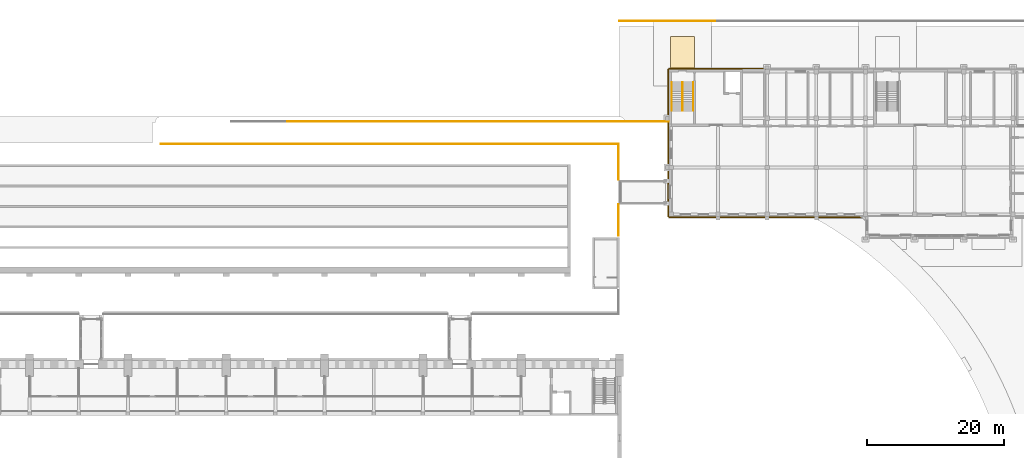
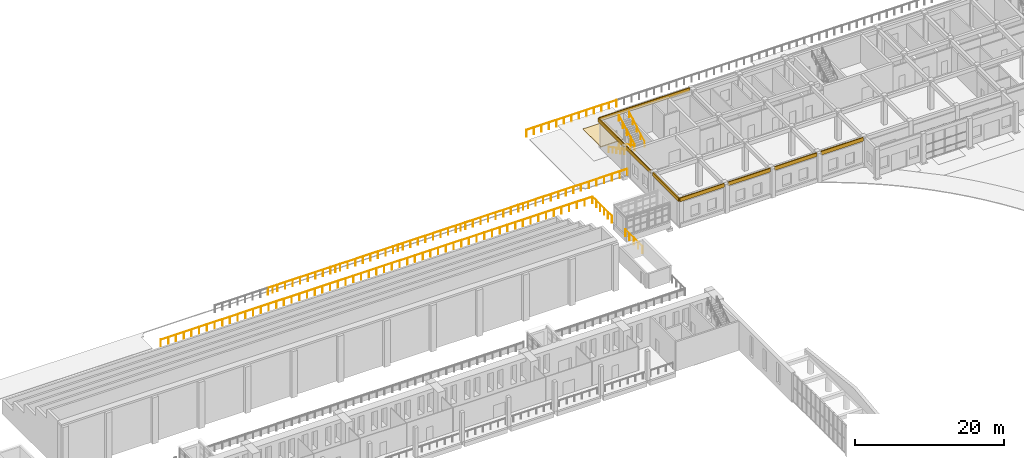
# One storey, part 129 of 131: 19 railings, 9 coverings.
"""IFC4 building model written with IfcOpenShell, lengths in metres."""

import ifcopenshell
import ifcopenshell.guid

model = None  # the IFC model being written
_history = None  # IfcOwnerHistory: only IFC2X3 demands one
_inside = {}  # id of a spatial element -> (the spatial element, [elements in it])
_under = {}  # id of a project, library or spatial element -> (it, [spatial elements below it])
_declared = {}  # id of a project -> (the project, [libraries it declares])
_typed = {}  # id of a type object -> (the type object, [elements of that type])
_made_of = {}  # id of a material, layer set ... -> (it, [elements and type objects made of it])


def new_model(schema):
    """Start an empty IFC model of exactly this schema.

    Asked for "IFC4X3", IfcOpenShell would pick the latest addendum, in which some entities
    have other attributes; the version numbers below select the first issue.
    IFC2X3 requires an IfcOwnerHistory on every rooted entity: one is made here for all.
    """
    global model, _history
    if schema == "IFC4X3":
        model = ifcopenshell.file(schema_version=(4, 3, 0, 0))
    else:
        model = ifcopenshell.file(schema=schema)
    _inside.clear()
    _under.clear()
    _declared.clear()
    _typed.clear()
    _made_of.clear()
    _history = None
    if model.schema == "IFC2X3":
        org = make("IfcOrganization", Name="unknown")
        user = make(
            "IfcPersonAndOrganization",
            ThePerson=make("IfcPerson", FamilyName="unknown"),
            TheOrganization=org,
        )
        app = make(
            "IfcApplication",
            ApplicationDeveloper=org,
            Version="unknown",
            ApplicationFullName="unknown",
            ApplicationIdentifier="unknown",
        )
        _history = make(
            "IfcOwnerHistory",
            OwningUser=user,
            OwningApplication=app,
            ChangeAction="ADDED",
            CreationDate=0,
        )
    return model


def make(cls, **values):
    """One entity of the class cls with the attributes given. An attribute that is None is left unset."""
    return model.create_entity(
        cls, **{name: value for name, value in values.items() if value is not None}
    )


def rooted(cls, **values):
    """An entity with a GlobalId (a new one), such as an element, a storey or a relation."""
    return make(cls, GlobalId=ifcopenshell.guid.new(), OwnerHistory=_history, **values)


def si_unit(unit_type, name, prefix=None):
    """IfcSIUnit, for example si_unit("LENGTHUNIT", "METRE", prefix="MILLI")."""
    return make("IfcSIUnit", UnitType=unit_type, Prefix=prefix, Name=name)


def assignment(units):
    """IfcUnitAssignment: the units of a project."""
    return None if units is None else make("IfcUnitAssignment", Units=units)


def point(xyz):
    """IfcCartesianPoint."""
    return None if xyz is None else make("IfcCartesianPoint", Coordinates=xyz)


def direction(xyz):
    """IfcDirection."""
    return None if xyz is None else make("IfcDirection", DirectionRatios=xyz)


def frame(location, z_axis=None, x_axis=None):
    """IfcAxis2Placement3D, a coordinate frame: its origin and axes. An axis left out is left unset."""
    return make(
        "IfcAxis2Placement3D",
        Location=point(location),
        Axis=direction(z_axis),
        RefDirection=direction(x_axis),
    )


def frame_2d(location, x_axis=None):
    """IfcAxis2Placement2D, a coordinate frame in the plane: its origin and x axis."""
    return make(
        "IfcAxis2Placement2D", Location=point(location), RefDirection=direction(x_axis)
    )


def origin():
    """The frame at (0, 0, 0) with its axes left unset."""
    return frame((0.0, 0.0, 0.0))


def origin_2d():
    """The frame at (0, 0) in the plane with its x axis left unset."""
    return frame_2d((0.0, 0.0))


def place(relative_to, where):
    """IfcLocalPlacement: puts the frame where relative to a parent placement (None: the world)."""
    return make(
        "IfcLocalPlacement", PlacementRelTo=relative_to, RelativePlacement=where
    )


def context(
    kind, dimensions, precision=None, world=None, true_north=None, identifier=None
):
    """IfcGeometricRepresentationContext, for example the 3D "Model" context."""
    return make(
        "IfcGeometricRepresentationContext",
        ContextIdentifier=identifier,
        ContextType=kind,
        CoordinateSpaceDimension=dimensions,
        Precision=precision,
        WorldCoordinateSystem=world,
        TrueNorth=true_north,
    )


def subcontext(parent, identifier, kind, view, scale=None):
    """IfcGeometricRepresentationSubContext, for example "Body" below "Model"."""
    return make(
        "IfcGeometricRepresentationSubContext",
        ContextIdentifier=identifier,
        ContextType=kind,
        ParentContext=parent,
        TargetScale=scale,
        TargetView=view,
    )


def project(units=None, contexts=None):
    """IfcProject with its units and contexts."""
    return rooted(
        "IfcProject",
        Name="project",
        RepresentationContexts=contexts,
        UnitsInContext=assignment(units),
    )


def spatial(cls, under=None, at=None, **own):
    """A site, building, storey or space (cls), placed at a placement, below another one or the project."""
    s = rooted(cls, ObjectPlacement=at, **own)
    if under is not None:
        _under.setdefault(under.id(), (under, []))[1].append(s)
    return s


def polyline(points):
    """IfcPolyline through the points."""
    return make("IfcPolyline", Points=[point(p) for p in points])


def profile(cls, at=None, kind="AREA", **sizes):
    """A parametric profile (cls). Its sizes go by their IFC names, for example OverallWidth=200.0."""
    return make(cls, ProfileType=kind, Position=at, **sizes)


def rectangle(**sizes):
    """IfcRectangleProfileDef."""
    return profile("IfcRectangleProfileDef", **sizes)


def circle(**sizes):
    """IfcCircleProfileDef."""
    return profile("IfcCircleProfileDef", **sizes)


def outline(outer, holes=None, kind="AREA"):
    """IfcArbitraryClosedProfileDef: a profile drawn as a closed curve; with holes, ...WithVoids."""
    if holes is None:
        return make("IfcArbitraryClosedProfileDef", ProfileType=kind, OuterCurve=outer)
    return make(
        "IfcArbitraryProfileDefWithVoids",
        ProfileType=kind,
        OuterCurve=outer,
        InnerCurves=holes,
    )


def extrude(swept, where, along, depth):
    """IfcExtrudedAreaSolid: the profile swept, set in the frame where, extruded along a direction by depth."""
    return make(
        "IfcExtrudedAreaSolid",
        SweptArea=swept,
        Position=where,
        ExtrudedDirection=direction(along),
        Depth=depth,
    )


def shape(context_of_items, identifier, shape_type, items):
    """IfcShapeRepresentation: the items that make up one representation, for example the "Body"."""
    return make(
        "IfcShapeRepresentation",
        ContextOfItems=context_of_items,
        RepresentationIdentifier=identifier,
        RepresentationType=shape_type,
        Items=items,
    )


def material(Name=None, Category=None):
    """IfcMaterial."""
    return make("IfcMaterial", Name=Name, Category=Category)


def layer(
    of_material, thickness, ventilated=None, Name=None, Category=None, Priority=None
):
    """IfcMaterialLayer: one layer of a wall or slab, of a material (None: an air gap)."""
    return make(
        "IfcMaterialLayer",
        Material=of_material,
        LayerThickness=thickness,
        IsVentilated=ventilated,
        Name=Name,
        Category=Category,
        Priority=Priority,
    )


def layer_set(layers, Name=None):
    """IfcMaterialLayerSet."""
    return make("IfcMaterialLayerSet", MaterialLayers=layers, LayerSetName=Name)


def made_of(thing, what):
    """Note that an element or type object is made of a material, layer set ...; save() writes the relation."""
    if what is not None:
        _made_of.setdefault(what.id(), (what, []))[1].append(thing)
    return thing


def type_object(cls, material=None, **own):
    """A type object (cls), such as IfcWallType, which elements share."""
    return made_of(rooted(cls, **own), material)


def element(
    cls,
    number,
    at=None,
    inside=None,
    cuts=None,
    type_object=None,
    material=None,
    context=None,
    identifier="Body",
    shape_type=None,
    held_by="IfcProductDefinitionShape",
    body=None,
    shapes=None,
    **own,
):
    """One element of the class cls, such as IfcWall. Its Tag is "e" and its number.

    at: its placement. inside: the storey or other place that contains it. cuts: it is an
    opening in that element (IfcRelVoidsElement). A single representation is given by context,
    identifier, shape_type and body (its items); several are given by shapes. held_by: the class
    of the entity that holds the representations. save() writes the other relations.
    """
    e = rooted(cls, Tag="e%d" % number, ObjectPlacement=at, **own)
    if body is not None:
        shapes = [shape(context, identifier, shape_type, body)]
    if shapes is not None:
        e.Representation = make(held_by, Representations=shapes)
    if inside is not None:
        _inside.setdefault(inside.id(), (inside, []))[1].append(e)
    if cuts is not None:
        rooted(
            "IfcRelVoidsElement", RelatingBuildingElement=cuts, RelatedOpeningElement=e
        )
    if type_object is not None:
        _typed.setdefault(type_object.id(), (type_object, []))[1].append(e)
    return made_of(e, material)


def aggregate(whole, parts):
    """IfcRelAggregates: a whole, such as a stair, and the parts it consists of."""
    return rooted("IfcRelAggregates", RelatingObject=whole, RelatedObjects=parts)


def save(model, path):
    """Write the relations noted so far, then the file.

    IfcRelAggregates (storeys below a building ...), IfcRelContainedInSpatialStructure (elements
    in a storey), IfcRelDefinesByType, IfcRelAssociatesMaterial and IfcRelDeclares: one each for
    every whole, place, type object, material and project.
    """
    for whole, parts in _under.values():
        aggregate(whole, parts)
    for where, things in _inside.values():
        rooted(
            "IfcRelContainedInSpatialStructure",
            RelatedElements=things,
            RelatingStructure=where,
        )
    for kind, things in _typed.values():
        rooted("IfcRelDefinesByType", RelatedObjects=things, RelatingType=kind)
    for what, things in _made_of.values():
        rooted("IfcRelAssociatesMaterial", RelatedObjects=things, RelatingMaterial=what)
    for by, libraries in _declared.values():
        rooted("IfcRelDeclares", RelatingContext=by, RelatedDefinitions=libraries)
    model.write(path)


model = new_model("IFC4")

# Units and contexts
model_context = context("Model", 3, precision=1e-05, world=origin(), true_north=direction((0.0, 1.0)))
body_context = subcontext(model_context, "Body", "Model", "MODEL_VIEW")
ifc_project = project(units=[si_unit("LENGTHUNIT", "METRE"), si_unit("AREAUNIT", "SQUARE_METRE"), si_unit("VOLUMEUNIT", "CUBIC_METRE"), si_unit("PLANEANGLEUNIT", "RADIAN"), si_unit("MASSUNIT", "GRAM", prefix="KILO")], contexts=[model_context])

# Site, building, storey
site_placement = place(None, origin())
site = spatial("IfcSite", under=ifc_project, at=site_placement, CompositionType="ELEMENT")
building_placement = place(site_placement, origin())
building = spatial("IfcBuilding", under=site, at=building_placement, Name="Alderwick Market Hall", CompositionType="ELEMENT")
storey_placement = place(building_placement, frame((0.0, 0.0, 4.800048828125)))
storey = spatial("IfcBuildingStorey", under=building, at=storey_placement, Name="L00", CompositionType="ELEMENT", Elevation=4.800048828125)

# Railings
ifc_material_1 = material(Name="Steel ASTM A500 Grade C", Category="steel")
railing_type_1 = type_object("IfcRailingType", Name="A Roof Guard 1100", PredefinedType="GUARDRAIL", material=ifc_material_1)
railing_1_placement = place(storey_placement, frame((84.0, 140.25, 0.0)))
element("IfcRailing", 1, at=railing_1_placement, inside=storey, type_object=railing_type_1, Name="Roof guard", PredefinedType="GUARDRAIL", context=body_context, shape_type="SweptSolid", body=[
    extrude(circle(Radius=0.02392578125, at=origin_2d()), frame((0.0, 0.0, 1.076171875), z_axis=(1.0, 0.0, 0.0), x_axis=(0.0, 1.0, 0.0)), (0.0, 0.0, 1.0), 67.050048828125),
    extrude(circle(Radius=0.02099609375, at=origin_2d()), origin(), (0.0, 0.0, 1.0), 1.052001953125),
    extrude(circle(Radius=0.02099609375, at=origin_2d()), frame((1.197265625, 0.0, 0.0)), (0.0, 0.0, 1.0), 1.052001953125),
    extrude(circle(Radius=0.02099609375, at=origin_2d()), frame((2.39453125, 0.0, 0.0)), (0.0, 0.0, 1.0), 1.052001953125),
    extrude(circle(Radius=0.02099609375, at=origin_2d()), frame((3.592041015625, 0.0, 0.0)), (0.0, 0.0, 1.0), 1.052001953125),
    extrude(circle(Radius=0.02099609375, at=origin_2d()), frame((4.789306640625, 0.0, 0.0)), (0.0, 0.0, 1.0), 1.052001953125),
    extrude(circle(Radius=0.02099609375, at=origin_2d()), frame((5.986572265625, 0.0, 0.0)), (0.0, 0.0, 1.0), 1.052001953125),
    extrude(circle(Radius=0.02099609375, at=origin_2d()), frame((7.183837890625, 0.0, 0.0)), (0.0, 0.0, 1.0), 1.052001953125),
    extrude(circle(Radius=0.02099609375, at=origin_2d()), frame((8.38134765625, 0.0, 0.0)), (0.0, 0.0, 1.0), 1.052001953125),
    extrude(circle(Radius=0.02099609375, at=origin_2d()), frame((9.57861328125, 0.0, 0.0)), (0.0, 0.0, 1.0), 1.052001953125),
    extrude(circle(Radius=0.02099609375, at=origin_2d()), frame((10.77587890625, 0.0, 0.0)), (0.0, 0.0, 1.0), 1.052001953125),
    extrude(circle(Radius=0.02099609375, at=origin_2d()), frame((11.97314453125, 0.0, 0.0)), (0.0, 0.0, 1.0), 1.052001953125),
    extrude(circle(Radius=0.02099609375, at=origin_2d()), frame((13.170654296875, 0.0, 0.0)), (0.0, 0.0, 1.0), 1.052001953125),
    extrude(circle(Radius=0.02099609375, at=origin_2d()), frame((14.367919921875, 0.0, 0.0)), (0.0, 0.0, 1.0), 1.052001953125),
    extrude(circle(Radius=0.02099609375, at=origin_2d()), frame((15.565185546875, 0.0, 0.0)), (0.0, 0.0, 1.0), 1.052001953125),
    extrude(circle(Radius=0.02099609375, at=origin_2d()), frame((16.762451171875, 0.0, 0.0)), (0.0, 0.0, 1.0), 1.052001953125),
    extrude(circle(Radius=0.02099609375, at=origin_2d()), frame((17.959716796875, 0.0, 0.0)), (0.0, 0.0, 1.0), 1.052001953125),
    extrude(circle(Radius=0.02099609375, at=origin_2d()), frame((19.1572265625, 0.0, 0.0)), (0.0, 0.0, 1.0), 1.052001953125),
    extrude(circle(Radius=0.02099609375, at=origin_2d()), frame((20.3544921875, 0.0, 0.0)), (0.0, 0.0, 1.0), 1.052001953125),
    extrude(circle(Radius=0.02099609375, at=origin_2d()), frame((21.5517578125, 0.0, 0.0)), (0.0, 0.0, 1.0), 1.052001953125),
    extrude(circle(Radius=0.02099609375, at=origin_2d()), frame((22.7490234375, 0.0, 0.0)), (0.0, 0.0, 1.0), 1.052001953125),
    extrude(circle(Radius=0.02099609375, at=origin_2d()), frame((23.946533203125, 0.0, 0.0)), (0.0, 0.0, 1.0), 1.052001953125),
    extrude(circle(Radius=0.02099609375, at=origin_2d()), frame((25.143798828125, 0.0, 0.0)), (0.0, 0.0, 1.0), 1.052001953125),
    extrude(circle(Radius=0.02099609375, at=origin_2d()), frame((26.341064453125, 0.0, 0.0)), (0.0, 0.0, 1.0), 1.052001953125),
    extrude(circle(Radius=0.02099609375, at=origin_2d()), frame((27.538330078125, 0.0, 0.0)), (0.0, 0.0, 1.0), 1.052001953125),
    extrude(circle(Radius=0.02099609375, at=origin_2d()), frame((28.73583984375, 0.0, 0.0)), (0.0, 0.0, 1.0), 1.052001953125),
    extrude(circle(Radius=0.02099609375, at=origin_2d()), frame((29.93310546875, 0.0, 0.0)), (0.0, 0.0, 1.0), 1.052001953125),
    extrude(circle(Radius=0.02099609375, at=origin_2d()), frame((31.13037109375, 0.0, 0.0)), (0.0, 0.0, 1.0), 1.052001953125),
    extrude(circle(Radius=0.02099609375, at=origin_2d()), frame((32.32763671875, 0.0, 0.0)), (0.0, 0.0, 1.0), 1.052001953125),
    extrude(circle(Radius=0.02099609375, at=origin_2d()), frame((33.52490234375, 0.0, 0.0)), (0.0, 0.0, 1.0), 1.052001953125),
    extrude(circle(Radius=0.02099609375, at=origin_2d()), frame((34.722412109375, 0.0, 0.0)), (0.0, 0.0, 1.0), 1.052001953125),
    extrude(circle(Radius=0.02099609375, at=origin_2d()), frame((35.919677734375, 0.0, 0.0)), (0.0, 0.0, 1.0), 1.052001953125),
    extrude(circle(Radius=0.02099609375, at=origin_2d()), frame((37.116943359375, 0.0, 0.0)), (0.0, 0.0, 1.0), 1.052001953125),
    extrude(circle(Radius=0.02099609375, at=origin_2d()), frame((38.314208984375, 0.0, 0.0)), (0.0, 0.0, 1.0), 1.052001953125),
    extrude(circle(Radius=0.02099609375, at=origin_2d()), frame((39.51171875, 0.0, 0.0)), (0.0, 0.0, 1.0), 1.052001953125),
    extrude(circle(Radius=0.02099609375, at=origin_2d()), frame((40.708984375, 0.0, 0.0)), (0.0, 0.0, 1.0), 1.052001953125),
    extrude(circle(Radius=0.02099609375, at=origin_2d()), frame((41.90625, 0.0, 0.0)), (0.0, 0.0, 1.0), 1.052001953125),
    extrude(circle(Radius=0.02099609375, at=origin_2d()), frame((43.103515625, 0.0, 0.0)), (0.0, 0.0, 1.0), 1.052001953125),
    extrude(circle(Radius=0.02099609375, at=origin_2d()), frame((44.301025390625, 0.0, 0.0)), (0.0, 0.0, 1.0), 1.052001953125),
    extrude(circle(Radius=0.02099609375, at=origin_2d()), frame((45.498291015625, 0.0, 0.0)), (0.0, 0.0, 1.0), 1.052001953125),
    extrude(circle(Radius=0.02099609375, at=origin_2d()), frame((46.695556640625, 0.0, 0.0)), (0.0, 0.0, 1.0), 1.052001953125),
    extrude(circle(Radius=0.02099609375, at=origin_2d()), frame((47.892822265625, 0.0, 0.0)), (0.0, 0.0, 1.0), 1.052001953125),
    extrude(circle(Radius=0.02099609375, at=origin_2d()), frame((49.09033203125, 0.0, 0.0)), (0.0, 0.0, 1.0), 1.052001953125),
    extrude(circle(Radius=0.02099609375, at=origin_2d()), frame((50.28759765625, 0.0, 0.0)), (0.0, 0.0, 1.0), 1.052001953125),
    extrude(circle(Radius=0.02099609375, at=origin_2d()), frame((51.48486328125, 0.0, 0.0)), (0.0, 0.0, 1.0), 1.052001953125),
    extrude(circle(Radius=0.02099609375, at=origin_2d()), frame((52.68212890625, 0.0, 0.0)), (0.0, 0.0, 1.0), 1.052001953125),
    extrude(circle(Radius=0.02099609375, at=origin_2d()), frame((53.87939453125, 0.0, 0.0)), (0.0, 0.0, 1.0), 1.052001953125),
    extrude(circle(Radius=0.02099609375, at=origin_2d()), frame((55.076904296875, 0.0, 0.0)), (0.0, 0.0, 1.0), 1.052001953125),
    extrude(circle(Radius=0.02099609375, at=origin_2d()), frame((56.274169921875, 0.0, 0.0)), (0.0, 0.0, 1.0), 1.052001953125),
    extrude(circle(Radius=0.02099609375, at=origin_2d()), frame((57.471435546875, 0.0, 0.0)), (0.0, 0.0, 1.0), 1.052001953125),
    extrude(circle(Radius=0.02099609375, at=origin_2d()), frame((58.668701171875, 0.0, 0.0)), (0.0, 0.0, 1.0), 1.052001953125),
    extrude(circle(Radius=0.02099609375, at=origin_2d()), frame((59.8662109375, 0.0, 0.0)), (0.0, 0.0, 1.0), 1.052001953125),
    extrude(circle(Radius=0.02099609375, at=origin_2d()), frame((61.0634765625, 0.0, 0.0)), (0.0, 0.0, 1.0), 1.052001953125),
    extrude(circle(Radius=0.02099609375, at=origin_2d()), frame((62.2607421875, 0.0, 0.0)), (0.0, 0.0, 1.0), 1.052001953125),
    extrude(circle(Radius=0.02099609375, at=origin_2d()), frame((63.4580078125, 0.0, 0.0)), (0.0, 0.0, 1.0), 1.052001953125),
    extrude(circle(Radius=0.02099609375, at=origin_2d()), frame((64.655517578125, 0.0, 0.0)), (0.0, 0.0, 1.0), 1.052001953125),
    extrude(circle(Radius=0.02099609375, at=origin_2d()), frame((65.852783203125, 0.0, 0.0)), (0.0, 0.0, 1.0), 1.052001953125),
    extrude(circle(Radius=0.02099609375, at=origin_2d()), frame((67.050048828125, 0.0, 0.0)), (0.0, 0.0, 1.0), 1.052001953125),
])
railing_2_placement = place(storey_placement, frame((151.050048828125, 126.800048828125, 0.0)))
element("IfcRailing", 2, at=railing_2_placement, inside=storey, type_object=railing_type_1, Name="Roof guard", PredefinedType="GUARDRAIL", context=body_context, shape_type="SweptSolid", body=[
    extrude(circle(Radius=0.02392578125, at=origin_2d()), frame((0.0, 0.0, 1.076171875), z_axis=(0.0, 1.0, 0.0), x_axis=(-1.0, 0.0, 0.0)), (0.0, 0.0, 1.0), 4.599853515625),
    extrude(circle(Radius=0.02099609375, at=origin_2d()), origin(), (0.0, 0.0, 1.0), 1.052001953125),
    extrude(circle(Radius=0.02099609375, at=origin_2d()), frame((0.0, 1.14990234375, 0.0)), (0.0, 0.0, 1.0), 1.052001953125),
    extrude(circle(Radius=0.02099609375, at=origin_2d()), frame((0.0, 2.2998046875, 0.0)), (0.0, 0.0, 1.0), 1.052001953125),
    extrude(circle(Radius=0.02099609375, at=origin_2d()), frame((0.0, 3.449951171875, 0.0)), (0.0, 0.0, 1.0), 1.052001953125),
    extrude(circle(Radius=0.02099609375, at=origin_2d()), frame((0.0, 4.599853515625, 0.0)), (0.0, 0.0, 1.0), 1.052001953125),
])
railing_3_placement = place(storey_placement, frame((151.050048828125, 135.0, 0.0)))
element("IfcRailing", 3, at=railing_3_placement, inside=storey, type_object=railing_type_1, Name="Roof guard", PredefinedType="GUARDRAIL", context=body_context, shape_type="SweptSolid", body=[
    extrude(circle(Radius=0.02392578125, at=origin_2d()), frame((0.0, 0.0, 1.076171875), z_axis=(0.0, 1.0, 0.0), x_axis=(-1.0, 0.0, 0.0)), (0.0, 0.0, 1.0), 5.25),
    extrude(circle(Radius=0.02099609375, at=origin_2d()), origin(), (0.0, 0.0, 1.0), 1.052001953125),
    extrude(circle(Radius=0.02099609375, at=origin_2d()), frame((0.0, 1.050048828125, 0.0)), (0.0, 0.0, 1.0), 1.052001953125),
    extrude(circle(Radius=0.02099609375, at=origin_2d()), frame((0.0, 2.10009765625, 0.0)), (0.0, 0.0, 1.0), 1.052001953125),
    extrude(circle(Radius=0.02099609375, at=origin_2d()), frame((0.0, 3.14990234375, 0.0)), (0.0, 0.0, 1.0), 1.052001953125),
    extrude(circle(Radius=0.02099609375, at=origin_2d()), frame((0.0, 4.199951171875, 0.0)), (0.0, 0.0, 1.0), 1.052001953125),
    extrude(circle(Radius=0.02099609375, at=origin_2d()), frame((0.0, 5.25, 0.0)), (0.0, 0.0, 1.0), 1.052001953125),
])
railing_type_2 = type_object("IfcRailingType", Name="F Stair Handrail 900", PredefinedType="HANDRAIL", material=ifc_material_1)
for number, where, name in (
    (4, (158.820068359375, 149.300048828125, 0.14990234375), "F.rail.L00.A.1"),
    (5, (160.3798828125, 149.300048828125, 0.14990234375), "F.rail.L00.A.2"),
):
    element("IfcRailing", number, at=place(storey_placement, frame(where)), inside=storey, type_object=railing_type_2, Name=name, PredefinedType="HANDRAIL", context=body_context, shape_type="SweptSolid", body=[
        extrude(circle(Radius=0.02392578125, at=origin_2d()), frame((0.0, 0.0, 0.8759765625), z_axis=(0.0, -0.881477684796, 0.472225678258), x_axis=(1.0, 0.0, 0.0)), (0.0, 0.0, 1.0), 4.7646484375),
        extrude(circle(Radius=0.02099609375, at=origin_2d()), origin(), (0.0, 0.0, 1.0), 0.851806640625),
        extrude(circle(Radius=0.02099609375, at=origin_2d()), frame((0.0, -1.050048828125, 0.5625)), (0.0, 0.0, 1.0), 0.851806640625),
        extrude(circle(Radius=0.02099609375, at=origin_2d()), frame((0.0, -2.10009765625, 1.125)), (0.0, 0.0, 1.0), 0.851806640625),
        extrude(circle(Radius=0.02099609375, at=origin_2d()), frame((0.0, -3.14990234375, 1.6875)), (0.0, 0.0, 1.0), 0.851806640625),
        extrude(circle(Radius=0.02099609375, at=origin_2d()), frame((0.0, -4.199951171875, 2.25)), (0.0, 0.0, 1.0), 0.851806640625),
    ])
for number, where, name in (
    (6, (160.419921875, 145.10009765625, 2.550048828125), "F.rail.L00.A.3"),
    (7, (161.97998046875, 145.10009765625, 2.550048828125), "F.rail.L00.A.4"),
):
    element("IfcRailing", number, at=place(storey_placement, frame(where)), inside=storey, type_object=railing_type_2, Name=name, PredefinedType="HANDRAIL", context=body_context, shape_type="SweptSolid", body=[
        extrude(circle(Radius=0.02392578125, at=origin_2d()), frame((0.0, 0.0, 0.8759765625), z_axis=(0.0, 0.881477684796, 0.472225678258), x_axis=(-1.0, 0.0, 0.0)), (0.0, 0.0, 1.0), 4.7646484375),
        extrude(circle(Radius=0.02099609375, at=origin_2d()), origin(), (0.0, 0.0, 1.0), 0.851806640625),
        extrude(circle(Radius=0.02099609375, at=origin_2d()), frame((0.0, 1.050048828125, 0.5625)), (0.0, 0.0, 1.0), 0.851806640625),
        extrude(circle(Radius=0.02099609375, at=origin_2d()), frame((0.0, 2.10009765625, 1.125)), (0.0, 0.0, 1.0), 0.851806640625),
        extrude(circle(Radius=0.02099609375, at=origin_2d()), frame((0.0, 3.14990234375, 1.6875)), (0.0, 0.0, 1.0), 0.851806640625),
        extrude(circle(Radius=0.02099609375, at=origin_2d()), frame((0.0, 4.199951171875, 2.25)), (0.0, 0.0, 1.0), 0.851806640625),
    ])

# Coverings
ifc_material_2 = material(Name="Cast stone 5000 psi", Category="masonry")
ifc_layer_1 = layer(ifc_material_2, 0.14990234375)
ifc_layer_set_1 = layer_set([ifc_layer_1], Name="Cast stone 5000 psi")
covering_type_1 = type_object("IfcCoveringType", Name="F String Course Cast Stone 150x600", PredefinedType="CLADDING", material=ifc_layer_set_1)
covering_1_placement = place(storey_placement, frame((165.300048828125, 129.52490234375, 4.199951171875), z_axis=(0.0, 0.0, 1.0), x_axis=(-1.0, 0.0, 0.0)))
element("IfcCovering", 8, at=covering_1_placement, inside=storey, type_object=covering_type_1, Name="F.wall.L00.band.front.01", PredefinedType="CLADDING", context=body_context, shape_type="SweptSolid", body=[
    extrude(rectangle(XDim=6.900146484375, YDim=0.14990234375, at=frame_2d((3.4501953125, 0.0))), origin(), (0.0, 0.0, 1.0), 0.60009765625),
])
covering_2_placement = place(storey_placement, frame((172.5, 129.52490234375, 4.199951171875), z_axis=(0.0, 0.0, 1.0), x_axis=(-1.0, 0.0, 0.0)))
element("IfcCovering", 9, at=covering_2_placement, inside=storey, type_object=covering_type_1, Name="F.wall.L00.band.front.02", PredefinedType="CLADDING", context=body_context, shape_type="SweptSolid", body=[
    extrude(rectangle(XDim=6.60009765625, YDim=0.14990234375, at=frame_2d((3.300048828125, 0.0))), origin(), (0.0, 0.0, 1.0), 0.60009765625),
])
for number, where, z_axis, x_axis, name in (
    (10, (179.699951171875, 129.52490234375, 4.199951171875), (0.0, 0.0, 1.0), (-1.0, 0.0, 0.0), "F.wall.L00.band.front.03"),
    (11, (186.89990234375, 129.52490234375, 4.199951171875), (0.0, 0.0, 1.0), (-1.0, 0.0, 0.0), "F.wall.L00.band.front.04"),
):
    element("IfcCovering", number, at=place(storey_placement, frame(where, z_axis=z_axis, x_axis=x_axis)), inside=storey, type_object=covering_type_1, Name=name, PredefinedType="CLADDING", context=body_context, shape_type="SweptSolid", body=[
        extrude(rectangle(XDim=6.599853515625, YDim=0.14990234375, at=frame_2d((3.2998046875, 0.0))), origin(), (0.0, 0.0, 1.0), 0.60009765625),
    ])
covering_3_placement = place(storey_placement, frame((158.39990234375, 151.27490234375, 4.199951171875), z_axis=(0.0, 0.0, 1.0), x_axis=(1.0, 0.0, 0.0)))
element("IfcCovering", 12, at=covering_3_placement, inside=storey, type_object=covering_type_1, Name="F.wall.L00.band.back.01", PredefinedType="CLADDING", context=body_context, shape_type="SweptSolid", body=[
    extrude(rectangle(XDim=14.10009765625, YDim=0.14990234375, at=frame_2d((7.050048828125, 0.0))), origin(), (0.0, 0.0, 1.0), 0.60009765625),
])
covering_4_placement = place(storey_placement, frame((158.324951171875, 129.60009765625, 4.199951171875), z_axis=(0.0, 0.0, 1.0), x_axis=(0.0, 1.0, 0.0)))
element("IfcCovering", 13, at=covering_4_placement, inside=storey, type_object=covering_type_1, Name="F.wall.L00.band.west.01", PredefinedType="CLADDING", context=body_context, shape_type="SweptSolid", body=[
    extrude(rectangle(XDim=6.89990234375, YDim=0.14990234375, at=frame_2d((3.449951171875, 0.0))), origin(), (0.0, 0.0, 1.0), 0.60009765625),
])
covering_5_placement = place(storey_placement, frame((158.324951171875, 137.10009765625, 4.199951171875), z_axis=(0.0, 0.0, 1.0), x_axis=(0.0, 1.0, 0.0)))
element("IfcCovering", 14, at=covering_5_placement, inside=storey, type_object=covering_type_1, Name="F.wall.L00.band.west.02", PredefinedType="CLADDING", context=body_context, shape_type="SweptSolid", body=[
    extrude(rectangle(XDim=6.599853515625, YDim=0.14990234375, at=frame_2d((3.2998046875, 0.0))), origin(), (0.0, 0.0, 1.0), 0.60009765625),
])
covering_6_placement = place(storey_placement, frame((158.324951171875, 144.300048828125, 4.199951171875), z_axis=(0.0, 0.0, 1.0), x_axis=(0.0, 1.0, 0.0)))
element("IfcCovering", 15, at=covering_6_placement, inside=storey, type_object=covering_type_1, Name="F.wall.L00.band.west.03", PredefinedType="CLADDING", context=body_context, shape_type="SweptSolid", body=[
    extrude(rectangle(XDim=6.89990234375, YDim=0.14990234375, at=frame_2d((3.449951171875, 0.0))), origin(), (0.0, 0.0, 1.0), 0.60009765625),
])
ifc_material_3 = material(Name="Granite setts on concrete bed", Category="masonry")
ifc_layer_2 = layer(ifc_material_3, 0.14990234375)
ifc_layer_set_2 = layer_set([ifc_layer_2], Name="Granite setts on concrete bed")
covering_type_2 = type_object("IfcCoveringType", Name="S Forecourt Paving 150", PredefinedType="USERDEFINED", material=ifc_layer_set_2)
covering_7_placement = place(storey_placement, frame((0.0, 0.0, -0.150146484375)))
element("IfcCovering", 16, at=covering_7_placement, inside=storey, type_object=covering_type_2, Name="Forecourt 20", ObjectType="PAVING", PredefinedType="USERDEFINED", context=body_context, shape_type="SweptSolid", body=[
    extrude(outline(polyline([(162.14990234375, 151.199951171875), (162.14990234375, 156.0), (158.64990234375, 156.0), (158.64990234375, 151.199951171875), (162.14990234375, 151.199951171875)])), origin(), (0.0, 0.0, 1.0), 0.150146484375),
])

# Railings
railing_type_3 = type_object("IfcRailingType", Name="S Guard 1100", PredefinedType="GUARDRAIL", material=ifc_material_1)
railing_4_placement = place(storey_placement, frame((158.39990234375, 143.550048828125, 0.0)))
element("IfcRailing", 17, at=railing_4_placement, inside=storey, type_object=railing_type_3, Name="Guard N.01", PredefinedType="GUARDRAIL", context=body_context, shape_type="SweptSolid", body=[
    extrude(circle(Radius=0.02490234375, at=origin_2d()), frame((0.0, 0.0, 1.0751953125), z_axis=(-1.0, 0.0, 0.0), x_axis=(0.0, -1.0, 0.0)), (0.0, 0.0, 1.0), 7.199951171875),
    extrude(circle(Radius=0.02001953125, at=origin_2d()), origin(), (0.0, 0.0, 1.0), 1.050048828125),
    extrude(circle(Radius=0.02001953125, at=origin_2d()), frame((-1.199951171875, 0.0, 0.0)), (0.0, 0.0, 1.0), 1.050048828125),
    extrude(circle(Radius=0.02001953125, at=origin_2d()), frame((-2.39990234375, 0.0, 0.0)), (0.0, 0.0, 1.0), 1.050048828125),
    extrude(circle(Radius=0.02001953125, at=origin_2d()), frame((-3.60009765625, 0.0, 0.0)), (0.0, 0.0, 1.0), 1.050048828125),
    extrude(circle(Radius=0.02001953125, at=origin_2d()), frame((-4.800048828125, 0.0, 0.0)), (0.0, 0.0, 1.0), 1.050048828125),
    extrude(circle(Radius=0.02001953125, at=origin_2d()), frame((-6.0, 0.0, 0.0)), (0.0, 0.0, 1.0), 1.050048828125),
    extrude(circle(Radius=0.02001953125, at=origin_2d()), frame((-7.199951171875, 0.0, 0.0)), (0.0, 0.0, 1.0), 1.050048828125),
])
railing_5_placement = place(storey_placement, frame((151.199951171875, 143.550048828125, 0.0)))
element("IfcRailing", 18, at=railing_5_placement, inside=storey, type_object=railing_type_3, Name="Guard N.02", PredefinedType="GUARDRAIL", context=body_context, shape_type="SweptSolid", body=[
    extrude(circle(Radius=0.02490234375, at=origin_2d()), frame((0.0, 0.0, 1.0751953125), z_axis=(-1.0, 0.0, 0.0), x_axis=(0.0, -1.0, 0.0)), (0.0, 0.0, 1.0), 8.22900390625),
    extrude(circle(Radius=0.02001953125, at=origin_2d()), origin(), (0.0, 0.0, 1.0), 1.050048828125),
    extrude(circle(Radius=0.02001953125, at=origin_2d()), frame((-1.175537109375, 0.0, 0.0)), (0.0, 0.0, 1.0), 1.050048828125),
    extrude(circle(Radius=0.02001953125, at=origin_2d()), frame((-2.35107421875, 0.0, 0.0)), (0.0, 0.0, 1.0), 1.050048828125),
    extrude(circle(Radius=0.02001953125, at=origin_2d()), frame((-3.526611328125, 0.0, 0.0)), (0.0, 0.0, 1.0), 1.050048828125),
    extrude(circle(Radius=0.02001953125, at=origin_2d()), frame((-4.702392578125, 0.0, 0.0)), (0.0, 0.0, 1.0), 1.050048828125),
    extrude(circle(Radius=0.02001953125, at=origin_2d()), frame((-5.8779296875, 0.0, 0.0)), (0.0, 0.0, 1.0), 1.050048828125),
    extrude(circle(Radius=0.02001953125, at=origin_2d()), frame((-7.053466796875, 0.0, 0.0)), (0.0, 0.0, 1.0), 1.050048828125),
    extrude(circle(Radius=0.02001953125, at=origin_2d()), frame((-8.22900390625, 0.0, 0.0)), (0.0, 0.0, 1.0), 1.050048828125),
])
railing_6_placement = place(storey_placement, frame((142.970947265625, 143.550048828125, 0.0)))
element("IfcRailing", 19, at=railing_6_placement, inside=storey, type_object=railing_type_3, Name="Guard N.03", PredefinedType="GUARDRAIL", context=body_context, shape_type="SweptSolid", body=[
    extrude(circle(Radius=0.02490234375, at=origin_2d()), frame((0.0, 0.0, 1.0751953125), z_axis=(-1.0, 0.0, 0.0), x_axis=(0.0, -1.0, 0.0)), (0.0, 0.0, 1.0), 1.5),
    extrude(circle(Radius=0.02001953125, at=origin_2d()), origin(), (0.0, 0.0, 1.0), 1.050048828125),
    extrude(circle(Radius=0.02001953125, at=origin_2d()), frame((-0.75, 0.0, 0.0)), (0.0, 0.0, 1.0), 1.050048828125),
    extrude(circle(Radius=0.02001953125, at=origin_2d()), frame((-1.5, 0.0, 0.0)), (0.0, 0.0, 1.0), 1.050048828125),
])
railing_7_placement = place(storey_placement, frame((141.470947265625, 143.550048828125, 0.0)))
element("IfcRailing", 20, at=railing_7_placement, inside=storey, type_object=railing_type_3, Name="Guard N.04", PredefinedType="GUARDRAIL", context=body_context, shape_type="SweptSolid", body=[
    extrude(circle(Radius=0.02490234375, at=origin_2d()), frame((0.0, 0.0, 1.0751953125), z_axis=(-1.0, 0.0, 0.0), x_axis=(0.0, -1.0, 0.0)), (0.0, 0.0, 1.0), 8.22802734375),
    extrude(circle(Radius=0.02001953125, at=origin_2d()), origin(), (0.0, 0.0, 1.0), 1.050048828125),
    extrude(circle(Radius=0.02001953125, at=origin_2d()), frame((-1.175537109375, 0.0, 0.0)), (0.0, 0.0, 1.0), 1.050048828125),
    extrude(circle(Radius=0.02001953125, at=origin_2d()), frame((-2.350830078125, 0.0, 0.0)), (0.0, 0.0, 1.0), 1.050048828125),
    extrude(circle(Radius=0.02001953125, at=origin_2d()), frame((-3.5263671875, 0.0, 0.0)), (0.0, 0.0, 1.0), 1.050048828125),
    extrude(circle(Radius=0.02001953125, at=origin_2d()), frame((-4.70166015625, 0.0, 0.0)), (0.0, 0.0, 1.0), 1.050048828125),
    extrude(circle(Radius=0.02001953125, at=origin_2d()), frame((-5.877197265625, 0.0, 0.0)), (0.0, 0.0, 1.0), 1.050048828125),
    extrude(circle(Radius=0.02001953125, at=origin_2d()), frame((-7.052490234375, 0.0, 0.0)), (0.0, 0.0, 1.0), 1.050048828125),
    extrude(circle(Radius=0.02001953125, at=origin_2d()), frame((-8.22802734375, 0.0, 0.0)), (0.0, 0.0, 1.0), 1.050048828125),
])
railing_8_placement = place(storey_placement, frame((133.242919921875, 143.550048828125, 0.0)))
element("IfcRailing", 21, at=railing_8_placement, inside=storey, type_object=railing_type_3, Name="Guard N.05", PredefinedType="GUARDRAIL", context=body_context, shape_type="SweptSolid", body=[
    extrude(circle(Radius=0.02490234375, at=origin_2d()), frame((0.0, 0.0, 1.0751953125), z_axis=(-1.0, 0.0, 0.0), x_axis=(0.0, -1.0, 0.0)), (0.0, 0.0, 1.0), 1.5),
    extrude(circle(Radius=0.02001953125, at=origin_2d()), origin(), (0.0, 0.0, 1.0), 1.050048828125),
    extrude(circle(Radius=0.02001953125, at=origin_2d()), frame((-0.75, 0.0, 0.0)), (0.0, 0.0, 1.0), 1.050048828125),
    extrude(circle(Radius=0.02001953125, at=origin_2d()), frame((-1.5, 0.0, 0.0)), (0.0, 0.0, 1.0), 1.050048828125),
])
railing_9_placement = place(storey_placement, frame((131.742919921875, 143.550048828125, 0.0)))
element("IfcRailing", 22, at=railing_9_placement, inside=storey, type_object=railing_type_3, Name="Guard N.06", PredefinedType="GUARDRAIL", context=body_context, shape_type="SweptSolid", body=[
    extrude(circle(Radius=0.02490234375, at=origin_2d()), frame((0.0, 0.0, 1.0751953125), z_axis=(-1.0, 0.0, 0.0), x_axis=(0.0, -1.0, 0.0)), (0.0, 0.0, 1.0), 8.22900390625),
    extrude(circle(Radius=0.02001953125, at=origin_2d()), origin(), (0.0, 0.0, 1.0), 1.050048828125),
    extrude(circle(Radius=0.02001953125, at=origin_2d()), frame((-1.175537109375, 0.0, 0.0)), (0.0, 0.0, 1.0), 1.050048828125),
    extrude(circle(Radius=0.02001953125, at=origin_2d()), frame((-2.35107421875, 0.0, 0.0)), (0.0, 0.0, 1.0), 1.050048828125),
    extrude(circle(Radius=0.02001953125, at=origin_2d()), frame((-3.526611328125, 0.0, 0.0)), (0.0, 0.0, 1.0), 1.050048828125),
    extrude(circle(Radius=0.02001953125, at=origin_2d()), frame((-4.702392578125, 0.0, 0.0)), (0.0, 0.0, 1.0), 1.050048828125),
    extrude(circle(Radius=0.02001953125, at=origin_2d()), frame((-5.8779296875, 0.0, 0.0)), (0.0, 0.0, 1.0), 1.050048828125),
    extrude(circle(Radius=0.02001953125, at=origin_2d()), frame((-7.053466796875, 0.0, 0.0)), (0.0, 0.0, 1.0), 1.050048828125),
    extrude(circle(Radius=0.02001953125, at=origin_2d()), frame((-8.22900390625, 0.0, 0.0)), (0.0, 0.0, 1.0), 1.050048828125),
])
railing_10_placement = place(storey_placement, frame((123.513916015625, 143.550048828125, 0.0)))
element("IfcRailing", 23, at=railing_10_placement, inside=storey, type_object=railing_type_3, Name="Guard N.07", PredefinedType="GUARDRAIL", context=body_context, shape_type="SweptSolid", body=[
    extrude(circle(Radius=0.02490234375, at=origin_2d()), frame((0.0, 0.0, 1.0751953125), z_axis=(-1.0, 0.0, 0.0), x_axis=(0.0, -1.0, 0.0)), (0.0, 0.0, 1.0), 1.5),
    extrude(circle(Radius=0.02001953125, at=origin_2d()), origin(), (0.0, 0.0, 1.0), 1.050048828125),
    extrude(circle(Radius=0.02001953125, at=origin_2d()), frame((-0.75, 0.0, 0.0)), (0.0, 0.0, 1.0), 1.050048828125),
    extrude(circle(Radius=0.02001953125, at=origin_2d()), frame((-1.5, 0.0, 0.0)), (0.0, 0.0, 1.0), 1.050048828125),
])
railing_11_placement = place(storey_placement, frame((122.013916015625, 143.550048828125, 0.0)))
element("IfcRailing", 24, at=railing_11_placement, inside=storey, type_object=railing_type_3, Name="Guard N.08", PredefinedType="GUARDRAIL", context=body_context, shape_type="SweptSolid", body=[
    extrude(circle(Radius=0.02490234375, at=origin_2d()), frame((0.0, 0.0, 1.0751953125), z_axis=(-1.0, 0.0, 0.0), x_axis=(0.0, -1.0, 0.0)), (0.0, 0.0, 1.0), 8.22802734375),
    extrude(circle(Radius=0.02001953125, at=origin_2d()), origin(), (0.0, 0.0, 1.0), 1.050048828125),
    extrude(circle(Radius=0.02001953125, at=origin_2d()), frame((-1.175537109375, 0.0, 0.0)), (0.0, 0.0, 1.0), 1.050048828125),
    extrude(circle(Radius=0.02001953125, at=origin_2d()), frame((-2.350830078125, 0.0, 0.0)), (0.0, 0.0, 1.0), 1.050048828125),
    extrude(circle(Radius=0.02001953125, at=origin_2d()), frame((-3.5263671875, 0.0, 0.0)), (0.0, 0.0, 1.0), 1.050048828125),
    extrude(circle(Radius=0.02001953125, at=origin_2d()), frame((-4.70166015625, 0.0, 0.0)), (0.0, 0.0, 1.0), 1.050048828125),
    extrude(circle(Radius=0.02001953125, at=origin_2d()), frame((-5.877197265625, 0.0, 0.0)), (0.0, 0.0, 1.0), 1.050048828125),
    extrude(circle(Radius=0.02001953125, at=origin_2d()), frame((-7.052490234375, 0.0, 0.0)), (0.0, 0.0, 1.0), 1.050048828125),
    extrude(circle(Radius=0.02001953125, at=origin_2d()), frame((-8.22802734375, 0.0, 0.0)), (0.0, 0.0, 1.0), 1.050048828125),
])
railing_12_placement = place(storey_placement, frame((113.785888671875, 143.550048828125, 0.0)))
element("IfcRailing", 25, at=railing_12_placement, inside=storey, type_object=railing_type_3, Name="Guard N.09", PredefinedType="GUARDRAIL", context=body_context, shape_type="SweptSolid", body=[
    extrude(circle(Radius=0.02490234375, at=origin_2d()), frame((0.0, 0.0, 1.0751953125), z_axis=(-1.0, 0.0, 0.0), x_axis=(0.0, -1.0, 0.0)), (0.0, 0.0, 1.0), 1.5),
    extrude(circle(Radius=0.02001953125, at=origin_2d()), origin(), (0.0, 0.0, 1.0), 1.050048828125),
    extrude(circle(Radius=0.02001953125, at=origin_2d()), frame((-0.75, 0.0, 0.0)), (0.0, 0.0, 1.0), 1.050048828125),
    extrude(circle(Radius=0.02001953125, at=origin_2d()), frame((-1.5, 0.0, 0.0)), (0.0, 0.0, 1.0), 1.050048828125),
])
railing_13_placement = place(storey_placement, frame((112.285888671875, 143.550048828125, 0.0)))
element("IfcRailing", 26, at=railing_13_placement, inside=storey, type_object=railing_type_3, Name="Guard N.10", PredefinedType="GUARDRAIL", context=body_context, shape_type="SweptSolid", body=[
    extrude(circle(Radius=0.02490234375, at=origin_2d()), frame((0.0, 0.0, 1.0751953125), z_axis=(-1.0, 0.0, 0.0), x_axis=(0.0, -1.0, 0.0)), (0.0, 0.0, 1.0), 8.22900390625),
    extrude(circle(Radius=0.02001953125, at=origin_2d()), origin(), (0.0, 0.0, 1.0), 1.050048828125),
    extrude(circle(Radius=0.02001953125, at=origin_2d()), frame((-1.175537109375, 0.0, 0.0)), (0.0, 0.0, 1.0), 1.050048828125),
    extrude(circle(Radius=0.02001953125, at=origin_2d()), frame((-2.35107421875, 0.0, 0.0)), (0.0, 0.0, 1.0), 1.050048828125),
    extrude(circle(Radius=0.02001953125, at=origin_2d()), frame((-3.526611328125, 0.0, 0.0)), (0.0, 0.0, 1.0), 1.050048828125),
    extrude(circle(Radius=0.02001953125, at=origin_2d()), frame((-4.702392578125, 0.0, 0.0)), (0.0, 0.0, 1.0), 1.050048828125),
    extrude(circle(Radius=0.02001953125, at=origin_2d()), frame((-5.8779296875, 0.0, 0.0)), (0.0, 0.0, 1.0), 1.050048828125),
    extrude(circle(Radius=0.02001953125, at=origin_2d()), frame((-7.053466796875, 0.0, 0.0)), (0.0, 0.0, 1.0), 1.050048828125),
    extrude(circle(Radius=0.02001953125, at=origin_2d()), frame((-8.22900390625, 0.0, 0.0)), (0.0, 0.0, 1.0), 1.050048828125),
])
railing_14_placement = place(storey_placement, frame((104.056884765625, 143.550048828125, 0.0)))
element("IfcRailing", 27, at=railing_14_placement, inside=storey, type_object=railing_type_3, Name="Guard N.11", PredefinedType="GUARDRAIL", context=body_context, shape_type="SweptSolid", body=[
    extrude(circle(Radius=0.02490234375, at=origin_2d()), frame((0.0, 0.0, 1.0751953125), z_axis=(-1.0, 0.0, 0.0), x_axis=(0.0, -1.0, 0.0)), (0.0, 0.0, 1.0), 1.5),
    extrude(circle(Radius=0.02001953125, at=origin_2d()), origin(), (0.0, 0.0, 1.0), 1.050048828125),
    extrude(circle(Radius=0.02001953125, at=origin_2d()), frame((-0.75, 0.0, 0.0)), (0.0, 0.0, 1.0), 1.050048828125),
    extrude(circle(Radius=0.02001953125, at=origin_2d()), frame((-1.5, 0.0, 0.0)), (0.0, 0.0, 1.0), 1.050048828125),
])
railing_15_placement = place(storey_placement, frame((151.199951171875, 158.25, 0.0)))
element("IfcRailing", 28, at=railing_15_placement, inside=storey, type_object=railing_type_3, Name="Guard N02a", PredefinedType="GUARDRAIL", context=body_context, shape_type="SweptSolid", body=[
    extrude(circle(Radius=0.02490234375, at=origin_2d()), frame((0.0, 0.0, 1.0751953125), z_axis=(1.0, 0.0, 0.0), x_axis=(0.0, 1.0, 0.0)), (0.0, 0.0, 1.0), 14.0),
    extrude(circle(Radius=0.02001953125, at=origin_2d()), origin(), (0.0, 0.0, 1.0), 1.050048828125),
    extrude(circle(Radius=0.02001953125, at=origin_2d()), frame((1.166748046875, 0.0, 0.0)), (0.0, 0.0, 1.0), 1.050048828125),
    extrude(circle(Radius=0.02001953125, at=origin_2d()), frame((2.333251953125, 0.0, 0.0)), (0.0, 0.0, 1.0), 1.050048828125),
    extrude(circle(Radius=0.02001953125, at=origin_2d()), frame((3.5, 0.0, 0.0)), (0.0, 0.0, 1.0), 1.050048828125),
    extrude(circle(Radius=0.02001953125, at=origin_2d()), frame((4.666748046875, 0.0, 0.0)), (0.0, 0.0, 1.0), 1.050048828125),
    extrude(circle(Radius=0.02001953125, at=origin_2d()), frame((5.833251953125, 0.0, 0.0)), (0.0, 0.0, 1.0), 1.050048828125),
    extrude(circle(Radius=0.02001953125, at=origin_2d()), frame((7.0, 0.0, 0.0)), (0.0, 0.0, 1.0), 1.050048828125),
    extrude(circle(Radius=0.02001953125, at=origin_2d()), frame((8.166748046875, 0.0, 0.0)), (0.0, 0.0, 1.0), 1.050048828125),
    extrude(circle(Radius=0.02001953125, at=origin_2d()), frame((9.333251953125, 0.0, 0.0)), (0.0, 0.0, 1.0), 1.050048828125),
    extrude(circle(Radius=0.02001953125, at=origin_2d()), frame((10.5, 0.0, 0.0)), (0.0, 0.0, 1.0), 1.050048828125),
    extrude(circle(Radius=0.02001953125, at=origin_2d()), frame((11.666748046875, 0.0, 0.0)), (0.0, 0.0, 1.0), 1.050048828125),
    extrude(circle(Radius=0.02001953125, at=origin_2d()), frame((12.833251953125, 0.0, 0.0)), (0.0, 0.0, 1.0), 1.050048828125),
    extrude(circle(Radius=0.02001953125, at=origin_2d()), frame((14.0, 0.0, 0.0)), (0.0, 0.0, 1.0), 1.050048828125),
])

save(model, "model.ifc")
